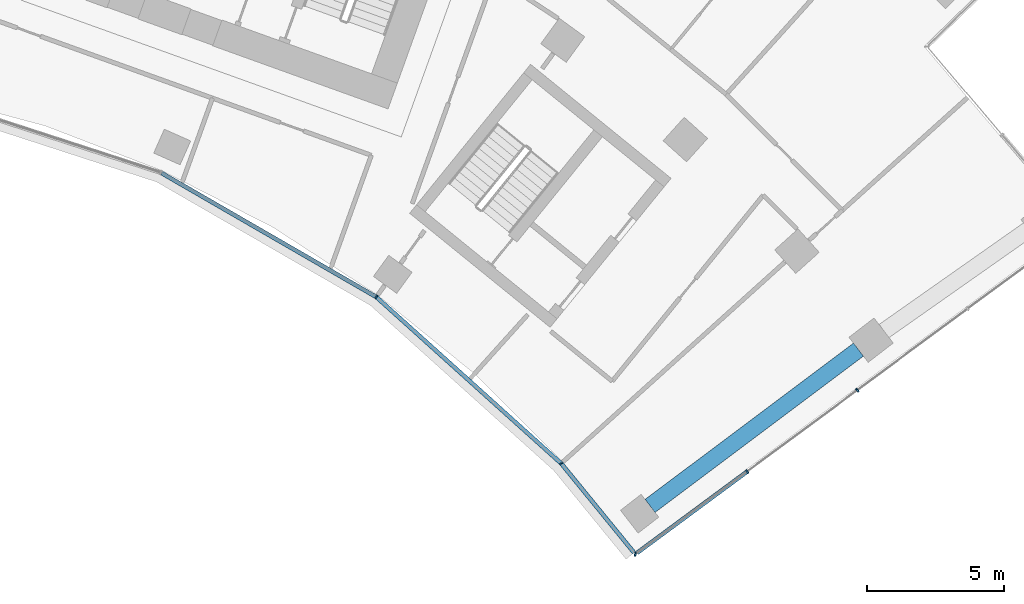
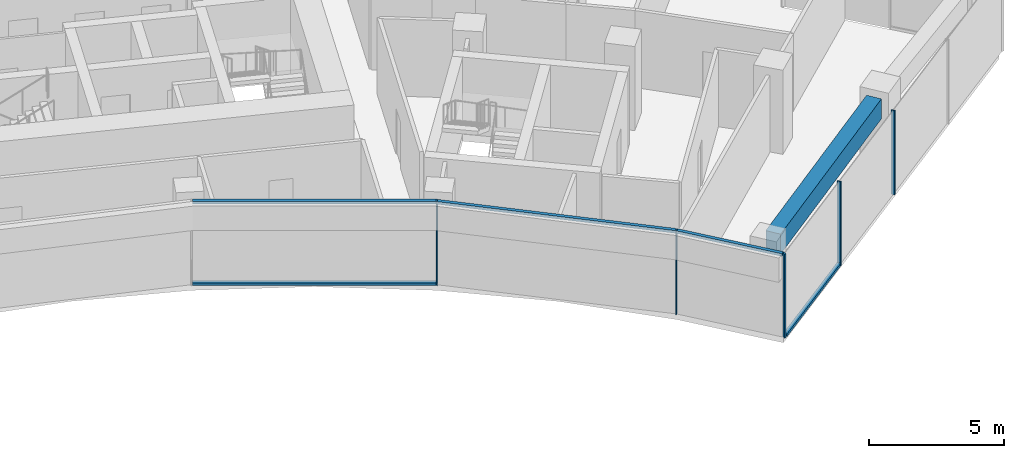
# One storey, part 8 of 19: 10 members, 1 beam, 2 elements without a shape of their own.
"""IFC4 building model written with IfcOpenShell, lengths in metres."""

from ifc_helpers import new_model, si_unit, direction, frame, origin, origin_2d, place, context, subcontext, project, spatial, rectangle, extrude, material, layer, layer_set, material_profile, profile_set, type_object, element, aggregate, save


model = new_model("IFC4")

# Units and contexts
model_context = context("Model", 3, precision=1e-05, world=origin(), true_north=direction((0.0, 1.0)))
body_context = subcontext(model_context, "Body", "Model", "MODEL_VIEW")
ifc_project = project(units=[si_unit("LENGTHUNIT", "METRE"), si_unit("AREAUNIT", "SQUARE_METRE"), si_unit("VOLUMEUNIT", "CUBIC_METRE"), si_unit("PLANEANGLEUNIT", "RADIAN"), si_unit("MASSUNIT", "GRAM", prefix="KILO")], contexts=[model_context])

# Site, building, storey
site_placement = place(None, origin())
site = spatial("IfcSite", under=ifc_project, at=site_placement, CompositionType="ELEMENT")
building_placement = place(site_placement, origin())
building = spatial("IfcBuilding", under=site, at=building_placement, Name="Stone Belt Terrace Tower", CompositionType="ELEMENT")
storey_placement = place(building_placement, frame((0.0, 0.0, 235.199951171875)))
storey = spatial("IfcBuildingStorey", under=building, at=storey_placement, Name="L57", CompositionType="ELEMENT", Elevation=235.199951171875)

# Curtain wall, members
ifc_material_1 = material(Name="Aluminium 6063-T6 anodised frame", Category="aluminium")
ifc_layer_1 = layer(ifc_material_1, 0.14990234375)
ifc_layer_set_1 = layer_set([ifc_layer_1], Name="CW-B unitised concave-face curtain wall")
curtain_wall_type_1 = type_object("IfcCurtainWallType", Name="CW-B unitised concave-face curtain wall", PredefinedType="NOTDEFINED", material=ifc_layer_set_1)
curtain_wall_1_placement = place(storey_placement, origin())
curtain_wall_1 = element("IfcCurtainWall", 1, at=curtain_wall_1_placement, inside=storey, type_object=curtain_wall_type_1, Name="CW-B concave face L57", PredefinedType="NOTDEFINED")
ifc_material_profile_1 = material_profile(ifc_material_1, rectangle(XDim=0.14990234375, YDim=0.050048828125, at=origin_2d()), Name="Aluminium 6063-T6 50x150")
ifc_profile_set_1 = profile_set([ifc_material_profile_1], Name="Aluminium 6063-T6 anodised frame")
member_type_1 = type_object("IfcMemberType", Name="CW-B mullion 50 x 150", PredefinedType="MULLION", material=ifc_profile_set_1)
member_1_placement = place(storey_placement, frame((25.5244140625, 35.13134765625, 0.0), z_axis=(0.0, 0.0, 1.0), x_axis=(0.587785252292, 0.809016994375, 0.0)))
member_1 = element("IfcMember", 2, at=member_1_placement, type_object=member_type_1, Name="CW-B mullion 8", PredefinedType="MULLION", context=body_context, shape_type="SweptSolid", body=[
    extrude(rectangle(XDim=0.14990234375, YDim=0.050048828125, at=origin_2d()), origin(), (0.0, 0.0, 1.0), 3.800048828125),
])
member_2_placement = place(storey_placement, frame((32.2724609375, 29.05517578125, 0.0), z_axis=(0.0, 0.0, 1.0), x_axis=(0.724007879695, 0.689791700544, 0.0)))
member_2 = element("IfcMember", 3, at=member_2_placement, type_object=member_type_1, Name="CW-B mullion 9", PredefinedType="MULLION", context=body_context, shape_type="SweptSolid", body=[
    extrude(rectangle(XDim=0.14990234375, YDim=0.050048828125, at=origin_2d()), origin(), (0.0, 0.0, 1.0), 3.800048828125),
])
ifc_material_profile_2 = material_profile(ifc_material_1, rectangle(XDim=0.14990234375, YDim=0.1201171875, at=origin_2d()), Name="Aluminium 6063-T6 150x120")
ifc_profile_set_2 = profile_set([ifc_material_profile_2], Name="Aluminium 6063-T6 anodised frame")
member_type_2 = type_object("IfcMemberType", Name="CW-B transom 120 x 150", PredefinedType="USERDEFINED", material=ifc_profile_set_2)
member_3_placement = place(storey_placement, frame((17.690673828125, 39.654052734375, 0.06005859375), z_axis=(0.866019133895, -0.500010859609, 0.0), x_axis=(0.500010859609, 0.866019133895, 0.0)))
member_3 = element("IfcMember", 4, at=member_3_placement, type_object=member_type_2, Name="CW-B transom 7.1", ObjectType="TRANSOM", PredefinedType="USERDEFINED", context=body_context, shape_type="SweptSolid", body=[
    extrude(rectangle(XDim=0.14990234375, YDim=0.1201171875, at=origin_2d()), origin(), (0.0, 0.0, 1.0), 9.012939453125),
])
member_4_placement = place(storey_placement, frame((17.690673828125, 39.654052734375, 3.739990234375), z_axis=(0.866019133895, -0.500010859609, 0.0), x_axis=(0.500010859609, 0.866019133895, 0.0)))
member_4 = element("IfcMember", 5, at=member_4_placement, type_object=member_type_2, Name="CW-B transom 7.2", ObjectType="TRANSOM", PredefinedType="USERDEFINED", context=body_context, shape_type="SweptSolid", body=[
    extrude(rectangle(XDim=0.14990234375, YDim=0.1201171875, at=origin_2d()), origin(), (0.0, 0.0, 1.0), 9.012939453125),
])
member_5_placement = place(storey_placement, frame((25.548583984375, 35.109375, 3.739990234375), z_axis=(0.743150073676, -0.669124777598, 0.0), x_axis=(0.669124777598, 0.743150073676, 0.0)))
member_5 = element("IfcMember", 6, at=member_5_placement, type_object=member_type_2, Name="CW-B transom 8.1", ObjectType="TRANSOM", PredefinedType="USERDEFINED", context=body_context, shape_type="SweptSolid", body=[
    extrude(rectangle(XDim=0.14990234375, YDim=0.1201171875, at=origin_2d()), origin(), (0.0, 0.0, 1.0), 9.016845703125),
])
member_6_placement = place(storey_placement, frame((32.291748046875, 29.031494140625, 3.739990234375), z_axis=(0.632390101137, -0.774650088739, 0.0), x_axis=(0.774650088739, 0.632390101137, 0.0)))
member_6 = element("IfcMember", 7, at=member_6_placement, type_object=member_type_2, Name="CW-B transom 9.1", ObjectType="TRANSOM", PredefinedType="USERDEFINED", context=body_context, shape_type="SweptSolid", body=[
    extrude(rectangle(XDim=0.14990234375, YDim=0.1201171875, at=origin_2d()), origin(), (0.0, 0.0, 1.0), 4.173583984375),
])
aggregate(curtain_wall_1, [member_1, member_2, member_3, member_4, member_5, member_6])

ifc_layer_2 = layer(ifc_material_1, 0.14990234375)
ifc_layer_set_2 = layer_set([ifc_layer_2], Name="CW-C stick curtain wall, horn ends and notches")
curtain_wall_type_2 = type_object("IfcCurtainWallType", Name="CW-C stick curtain wall, horn ends and notches", PredefinedType="NOTDEFINED", material=ifc_layer_set_2)
curtain_wall_2_placement = place(storey_placement, origin())
curtain_wall_2 = element("IfcCurtainWall", 8, at=curtain_wall_2_placement, inside=storey, type_object=curtain_wall_type_2, Name="CW-C end face L57", PredefinedType="NOTDEFINED")
ifc_material_profile_3 = material_profile(ifc_material_1, rectangle(XDim=0.14990234375, YDim=0.06005859375, at=origin_2d()), Name="Aluminium 6063-T6 60x150")
ifc_profile_set_3 = profile_set([ifc_material_profile_3], Name="Aluminium 6063-T6 anodised frame")
member_type_3 = type_object("IfcMemberType", Name="CW-C mullion 60 x 150", PredefinedType="MULLION", material=ifc_profile_set_3)
member_7_placement = place(storey_placement, frame((34.975341796875, 25.744140625, 0.0), z_axis=(0.0, 0.0, 1.0), x_axis=(0.124625557677, 0.992203845172, 0.0)))
member_7 = element("IfcMember", 9, at=member_7_placement, type_object=member_type_3, Name="CW-C mullion 1", PredefinedType="MULLION", context=body_context, shape_type="SweptSolid", body=[
    extrude(rectangle(XDim=0.14990234375, YDim=0.06005859375, at=origin_2d()), origin(), (0.0, 0.0, 1.0), 3.800048828125),
])
member_8_placement = place(storey_placement, frame((39.054443359375, 28.757568359375, 0.0), z_axis=(0.0, 0.0, 1.0), x_axis=(-0.594184091865, 0.804329077539, 0.0)))
member_8 = element("IfcMember", 10, at=member_8_placement, type_object=member_type_3, Name="CW-C mullion 2", PredefinedType="MULLION", context=body_context, shape_type="SweptSolid", body=[
    extrude(rectangle(XDim=0.14990234375, YDim=0.06005859375, at=origin_2d()), origin(), (0.0, 0.0, 1.0), 3.800048828125),
])
member_9_placement = place(storey_placement, frame((43.076171875, 31.728515625, 0.0), z_axis=(0.0, 0.0, 1.0), x_axis=(-0.594184091865, 0.804329077539, 0.0)))
member_9 = element("IfcMember", 11, at=member_9_placement, type_object=member_type_3, Name="CW-C mullion 3", PredefinedType="MULLION", context=body_context, shape_type="SweptSolid", body=[
    extrude(rectangle(XDim=0.14990234375, YDim=0.06005859375, at=origin_2d()), origin(), (0.0, 0.0, 1.0), 3.800048828125),
])
ifc_material_profile_4 = material_profile(ifc_material_1, rectangle(XDim=0.14990234375, YDim=0.1201171875, at=origin_2d()), Name="Aluminium 6063-T6 150x120")
ifc_profile_set_4 = profile_set([ifc_material_profile_4], Name="Aluminium 6063-T6 anodised frame")
member_type_4 = type_object("IfcMemberType", Name="CW-C transom 120 x 150", PredefinedType="USERDEFINED", material=ifc_profile_set_4)
member_10_placement = place(storey_placement, frame((35.034423828125, 25.787841796875, 0.06005859375), z_axis=(0.804325227642, 0.594189303319, 0.0), x_axis=(-0.594189303319, 0.804325227642, 0.0)))
member_10 = element("IfcMember", 12, at=member_10_placement, type_object=member_type_4, Name="CW-C transom 1.1", ObjectType="TRANSOM", PredefinedType="USERDEFINED", context=body_context, shape_type="SweptSolid", body=[
    extrude(rectangle(XDim=0.14990234375, YDim=0.1201171875, at=origin_2d()), origin(), (0.0, 0.0, 1.0), 4.968017578125),
])
aggregate(curtain_wall_2, [member_7, member_8, member_9, member_10])

# Beam
ifc_material_2 = material(Name="Concrete B60", Category="concrete")
ifc_material_profile_5 = material_profile(ifc_material_2, rectangle(XDim=0.60009765625, YDim=0.89990234375, at=origin_2d()), Name="RC 600x900")
ifc_profile_set_5 = profile_set([ifc_material_profile_5], Name="Concrete B60")
beam_type = type_object("IfcBeamType", Name="Edge beam RC 600x900 B60", PredefinedType="SPANDREL", material=ifc_profile_set_5)
beam_placement = place(storey_placement, frame((35.51318359375, 27.5068359375, 3.030029296875), z_axis=(0.800073960697, 0.599901373073, 0.0), x_axis=(-0.599901373073, 0.800073960697, 0.0)))
element("IfcBeam", 13, at=beam_placement, inside=storey, type_object=beam_type, Name="Edge beam L57 B P to Q", PredefinedType="SPANDREL", context=body_context, shape_type="SweptSolid", body=[
    extrude(rectangle(XDim=0.60009765625, YDim=0.89990234375, at=origin_2d()), origin(), (0.0, 0.0, 1.0), 9.505859375),
])

save(model, "model.ifc")
